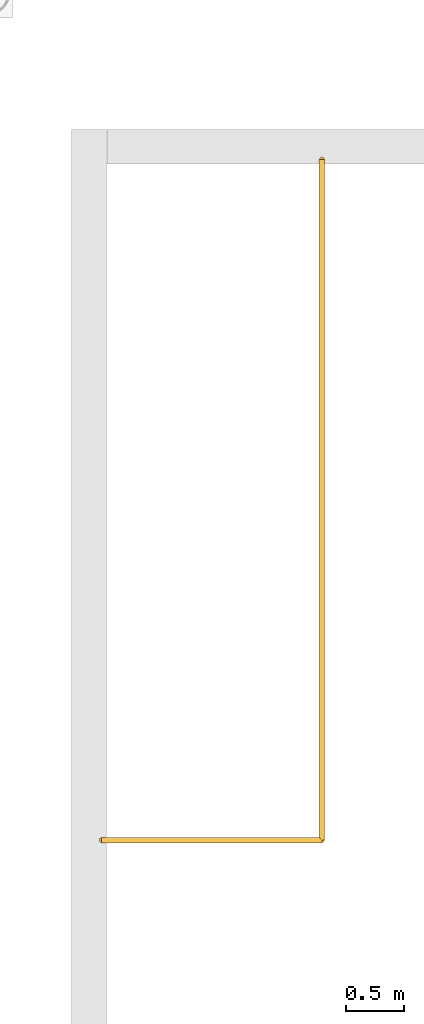
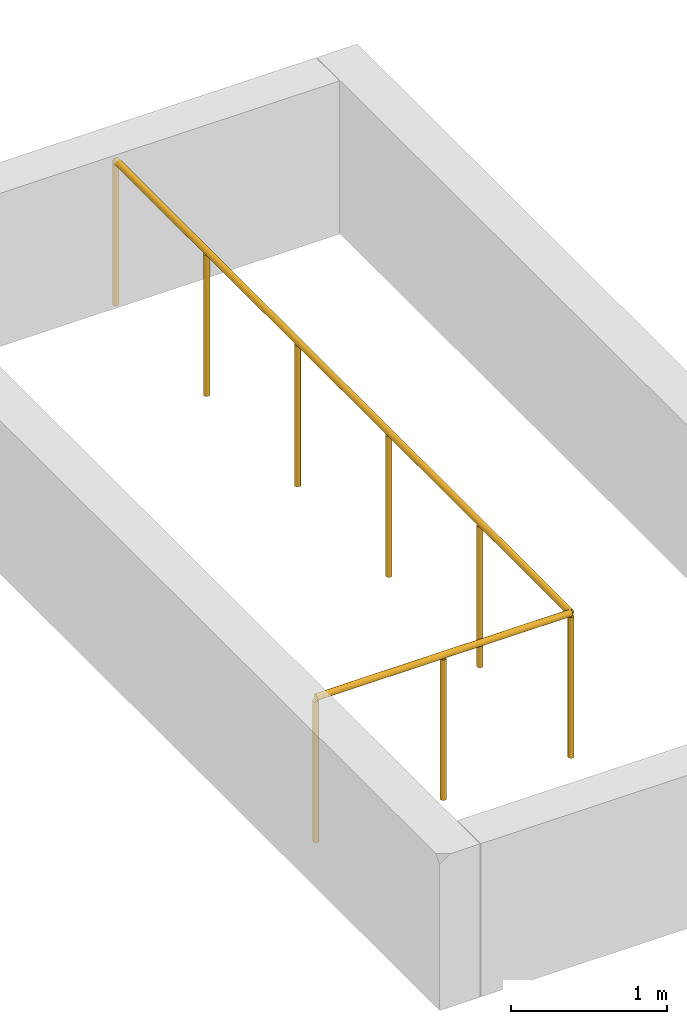
# One storey, part 2 of 2: 1 railing.
"""IFC4 building model written with IfcOpenShell, lengths in metres."""

from ifc_helpers import new_model, si_unit, direction, frame, origin, origin_2d, place, context, subcontext, project, spatial, circle, extrude, material, type_object, element, save


model = new_model("IFC4")

# Units and contexts
model_context = context("Model", 3, precision=1e-05, world=origin(), true_north=direction((0.0, 1.0)))
body_context = subcontext(model_context, "Body", "Model", "MODEL_VIEW")
ifc_project = project(units=[si_unit("LENGTHUNIT", "METRE"), si_unit("AREAUNIT", "SQUARE_METRE"), si_unit("VOLUMEUNIT", "CUBIC_METRE"), si_unit("PLANEANGLEUNIT", "RADIAN"), si_unit("MASSUNIT", "GRAM", prefix="KILO")], contexts=[model_context])

# Site, building, storey
site_placement = place(None, origin())
site = spatial("IfcSite", under=ifc_project, at=site_placement, CompositionType="ELEMENT")
building_placement = place(site_placement, origin())
building = spatial("IfcBuilding", under=site, at=building_placement, Name="Norrvale University Quadrangle", CompositionType="ELEMENT")
storey_placement = place(building_placement, frame((0.0, 0.0, 326.0)))
storey = spatial("IfcBuildingStorey", under=building, at=storey_placement, Name="ROOF", CompositionType="ELEMENT", Elevation=326.0)

# Railing
ifc_material = material(Name="Steel 350W Painted Balustrade", Category="steel")
railing_type = type_object("IfcRailingType", Name="Railing Stair Guard 1100", PredefinedType="GUARDRAIL", material=ifc_material)
railing_placement = place(storey_placement, frame((29.7900390625, 11.919921875, 0.0)))
element("IfcRailing", 1, at=railing_placement, inside=storey, type_object=railing_type, Name="Top Stairwell Guard ST-04 ROOF", PredefinedType="GUARDRAIL", context=body_context, shape_type="SweptSolid", body=[
    extrude(circle(Radius=0.02392578125, at=origin_2d()), frame((0.0, 0.0, 1.1259765625), z_axis=(1.0, 0.0, 0.0), x_axis=(0.0, 1.0, 0.0)), (0.0, 0.0, 1.0), 1.889892578125),
    extrude(circle(Radius=0.02392578125, at=origin_2d()), frame((1.889892578125, 0.0, 1.1259765625), z_axis=(0.0, 1.0, 0.0), x_axis=(-1.0, 0.0, 0.0)), (0.0, 0.0, 1.0), 5.840087890625),
    extrude(circle(Radius=0.02099609375, at=origin_2d()), origin(), (0.0, 0.0, 1.0), 1.101806640625),
    extrude(circle(Radius=0.02099609375, at=origin_2d()), frame((0.94482421875, 0.0, 0.0)), (0.0, 0.0, 1.0), 1.101806640625),
    extrude(circle(Radius=0.02099609375, at=origin_2d()), frame((1.889892578125, 0.0, 0.0)), (0.0, 0.0, 1.0), 1.101806640625),
    extrude(circle(Radius=0.02099609375, at=origin_2d()), frame((1.889892578125, 1.16796875, 0.0)), (0.0, 0.0, 1.0), 1.101806640625),
    extrude(circle(Radius=0.02099609375, at=origin_2d()), frame((1.889892578125, 2.3359375, 0.0)), (0.0, 0.0, 1.0), 1.101806640625),
    extrude(circle(Radius=0.02099609375, at=origin_2d()), frame((1.889892578125, 3.504150390625, 0.0)), (0.0, 0.0, 1.0), 1.101806640625),
    extrude(circle(Radius=0.02099609375, at=origin_2d()), frame((1.889892578125, 4.672119140625, 0.0)), (0.0, 0.0, 1.0), 1.101806640625),
    extrude(circle(Radius=0.02099609375, at=origin_2d()), frame((1.889892578125, 5.840087890625, 0.0)), (0.0, 0.0, 1.0), 1.101806640625),
])

save(model, "model.ifc")
